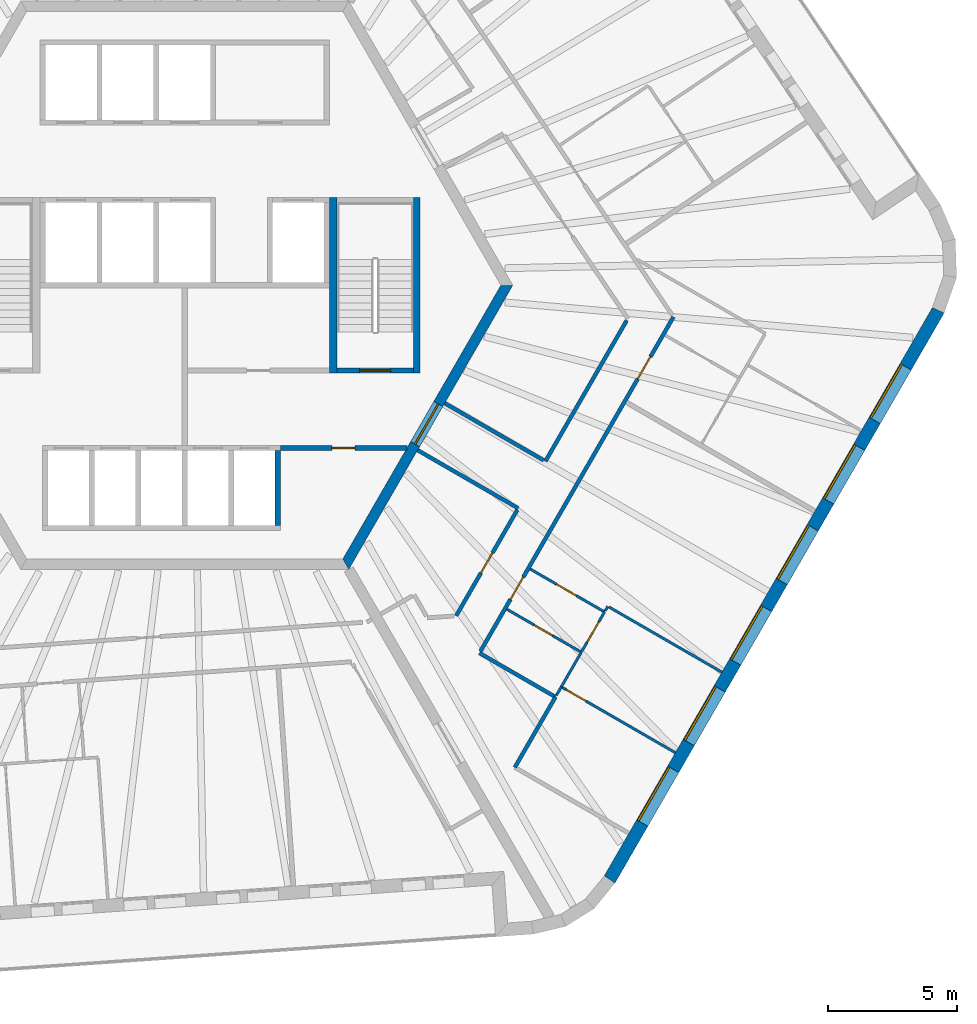
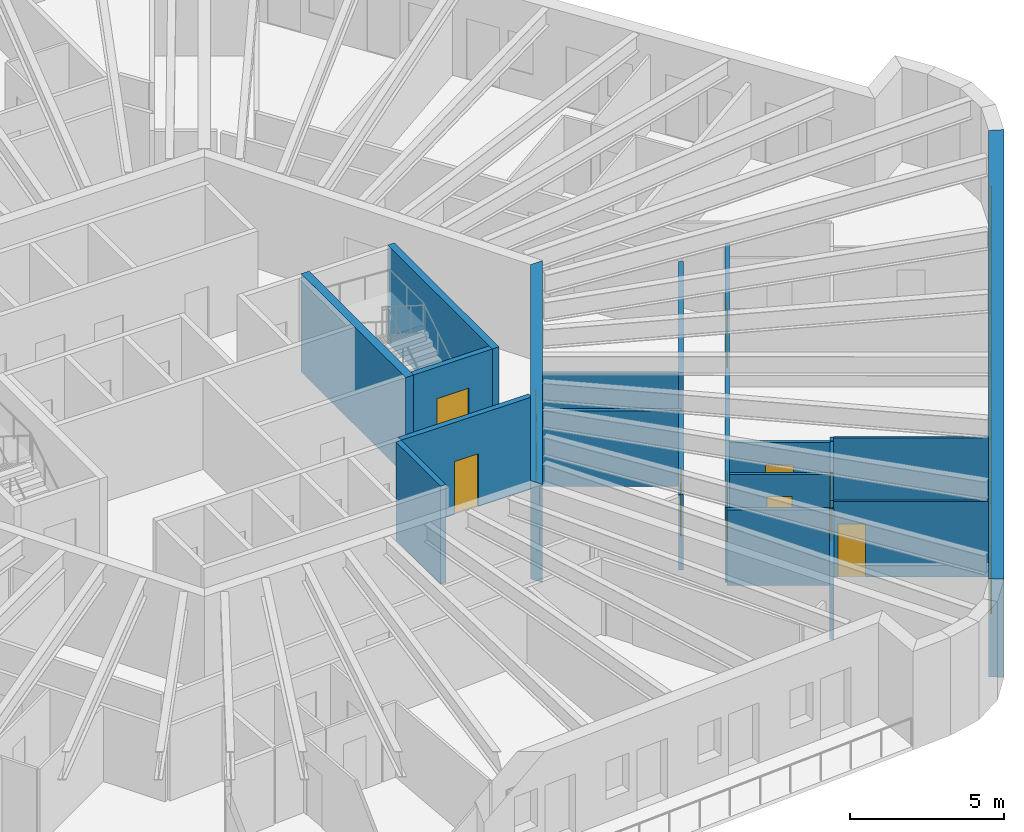
# One storey, part 6 of 12: 22 walls, 10 doors, 6 windows, 16 openings.
"""IFC4 building model written with IfcOpenShell, lengths in metres."""

from ifc_helpers import new_model, si_unit, direction, frame, frame_2d, origin, place, context, subcontext, project, spatial, polyline, rectangle, outline, extrude, material, layer, layer_set, type_object, element, fill, save


model = new_model("IFC4")

# Units and contexts
model_context = context("Model", 3, precision=1e-05, world=origin(), true_north=direction((0.0, 1.0)))
body_context = subcontext(model_context, "Body", "Model", "MODEL_VIEW")
ifc_project = project(units=[si_unit("LENGTHUNIT", "METRE"), si_unit("AREAUNIT", "SQUARE_METRE"), si_unit("VOLUMEUNIT", "CUBIC_METRE"), si_unit("PLANEANGLEUNIT", "RADIAN"), si_unit("MASSUNIT", "GRAM", prefix="KILO")], contexts=[model_context])

# Site, building, storey
site_placement = place(None, origin())
site = spatial("IfcSite", under=ifc_project, at=site_placement, CompositionType="ELEMENT")
building_placement = place(site_placement, origin())
building = spatial("IfcBuilding", under=site, at=building_placement, Name="Tarnside Tower", CompositionType="ELEMENT")
storey_placement = place(building_placement, frame((0.0, 0.0, 299.10009765625)))
storey = spatial("IfcBuildingStorey", under=building, at=storey_placement, Name="L72", CompositionType="ELEMENT", Elevation=299.10009765625)

# Wall, opening, door
ifc_material_1 = material(Name="Gypsum board partition on steel studs", Category="steel")
ifc_layer_1 = layer(ifc_material_1, 0.10009765625)
ifc_layer_set_1 = layer_set([ifc_layer_1], Name="Bathroom wall 100")
wall_type_1 = type_object("IfcWallType", Name="Bathroom wall 100", PredefinedType="PARTITIONING", material=ifc_layer_set_1)
wall_1_placement = place(storey_placement, frame((12.47412109375, -12.544189453125, 0.0), z_axis=(0.0, 0.0, 1.0), x_axis=(0.866002163101, -0.500040251884, 0.0)))
wall_1 = element("IfcWall", 1, at=wall_1_placement, inside=storey, type_object=wall_type_1, Name="Bathroom wall 23144", PredefinedType="PARTITIONING", context=body_context, shape_type="SweptSolid", body=[
    extrude(rectangle(XDim=3.324951171875, YDim=0.10009765625, at=frame_2d((1.66259765625, 0.0))), origin(), (0.0, 0.0, 1.0), 2.98779296875),
])
opening_1_placement = place(wall_1_placement, frame((1.22509765625, 0.0, 0.0)))
opening_1 = element("IfcOpeningElement", 2, at=opening_1_placement, cuts=wall_1, Name="Opening D-B1", PredefinedType="OPENING", context=body_context, shape_type="SweptSolid", body=[
    extrude(rectangle(XDim=0.800048828125, YDim=2.10009765625, at=frame_2d((0.39990234375, 1.050048828125))), frame((0.0, 0.06005859375, 0.0), z_axis=(0.0, -1.0, 0.0), x_axis=(1.0, 0.0, 0.0)), (0.0, 0.0, 1.0), 0.1201171875),
])
ifc_material_2 = material(Name="Timber door leaf", Category="wood")
door_type_1 = type_object("IfcDoorType", Name="Bathroom door 800", OperationType="NOTDEFINED", PredefinedType="DOOR", material=ifc_material_2)
door_1_placement = place(opening_1_placement, origin())
door_1 = element("IfcDoor", 3, at=door_1_placement, inside=storey, type_object=door_type_1, Name="Bathroom door 23040", OperationType="SINGLE_SWING_RIGHT", OverallHeight=2.10009765625, OverallWidth=0.800048828125, PredefinedType="DOOR", context=body_context, shape_type="SweptSolid", body=[
    extrude(rectangle(XDim=0.800048828125, YDim=2.10009765625, at=frame_2d((0.39990234375, 1.050048828125))), frame((0.0, 0.02490234375, 0.0), z_axis=(0.0, -1.0, 0.0), x_axis=(1.0, 0.0, 0.0)), (0.0, 0.0, 1.0), 0.050048828125),
])
fill(opening_1, door_1)

# Walls
wall_2_placement = place(storey_placement, frame((14.39013671875, -15.87548828125, 0.0), z_axis=(0.0, 0.0, 1.0), x_axis=(0.500094824054, 0.865970650169, 0.0)))
element("IfcWall", 4, at=wall_2_placement, inside=storey, type_object=wall_type_1, Name="Bathroom wall 23146", PredefinedType="PARTITIONING", context=body_context, shape_type="SweptSolid", body=[
    extrude(rectangle(XDim=0.37841796875, YDim=0.10009765625, at=frame_2d((0.189208984375, 0.0))), origin(), (0.0, 0.0, 1.0), 2.98779296875),
])
wall_3_placement = place(storey_placement, frame((14.579345703125, -15.5478515625, 0.0), z_axis=(0.0, 0.0, 1.0), x_axis=(0.499949632511, 0.866054481515, 0.0)))
element("IfcWall", 5, at=wall_3_placement, inside=storey, type_object=wall_type_1, Name="Bathroom wall 23147", PredefinedType="PARTITIONING", context=body_context, shape_type="SweptSolid", body=[
    extrude(rectangle(XDim=1.550537109375, YDim=0.10009765625, at=frame_2d((0.775390625, 0.0))), origin(), (0.0, 0.0, 1.0), 2.98779296875),
])

# Wall, opening, door
ifc_material_3 = material(Name="Concrete C40/50", Category="concrete")
ifc_layer_2 = layer(ifc_material_3, 0.199951171875)
ifc_layer_set_2 = layer_set([ifc_layer_2], Name="Core room partition 200 C40/50")
wall_type_2 = type_object("IfcWallType", Name="Core room partition 200 C40/50", PredefinedType="PARTITIONING", material=ifc_layer_set_2)
wall_4_placement = place(storey_placement, frame((3.699951171875, -6.300048828125, 0.0), z_axis=(0.0, 0.0, 1.0), x_axis=(1.0, 0.0, 0.0)))
wall_4 = element("IfcWall", 6, at=wall_4_placement, inside=storey, type_object=wall_type_2, Name="L72 core partition R4X", PredefinedType="PARTITIONING", context=body_context, shape_type="SweptSolid", body=[
    extrude(rectangle(XDim=4.902587890625, YDim=0.199951171875, at=frame_2d((2.451171875, 0.0))), origin(), (0.0, 0.0, 1.0), 3.64990234375),
])
opening_2_placement = place(wall_4_placement, frame((2.001220703125, 0.0, 0.0)))
opening_2 = element("IfcOpeningElement", 7, at=opening_2_placement, cuts=wall_4, Name="Opening CD-room", PredefinedType="OPENING", context=body_context, shape_type="SweptSolid", body=[
    extrude(rectangle(XDim=0.89990234375, YDim=2.10009765625, at=frame_2d((0.449951171875, 1.050048828125))), frame((0.0, 0.10986328125, 0.0), z_axis=(0.0, -1.0, 0.0), x_axis=(1.0, 0.0, 0.0)), (0.0, 0.0, 1.0), 0.219970703125),
])
ifc_material_4 = material(Name="Steel fire door", Category="steel")
door_type_2 = type_object("IfcDoorType", Name="Room door FD60 900x2100", OperationType="NOTDEFINED", PredefinedType="DOOR", material=ifc_material_4)
door_2_placement = place(opening_2_placement, origin())
door_2 = element("IfcDoor", 8, at=door_2_placement, inside=storey, type_object=door_type_2, Name="L72 core room door RX", OperationType="SINGLE_SWING_LEFT", OverallHeight=2.10009765625, OverallWidth=0.89990234375, PredefinedType="DOOR", context=body_context, shape_type="SweptSolid", body=[
    extrude(rectangle(XDim=0.89990234375, YDim=2.10009765625, at=frame_2d((0.449951171875, 1.050048828125))), frame((0.0, 0.02490234375, 0.0), z_axis=(0.0, -1.0, 0.0), x_axis=(1.0, 0.0, 0.0)), (0.0, 0.0, 1.0), 0.050048828125),
])
fill(opening_2, door_2)

ifc_material_5 = material(Name="Concrete C60/75", Category="concrete")
ifc_layer_3 = layer(ifc_material_5, 0.39990234375)
ifc_layer_set_3 = layer_set([ifc_layer_3], Name="Core wall Z3 400 C60/75")
wall_type_3 = type_object("IfcWallType", Name="Core wall Z3 400 C60/75", PredefinedType="SHEAR", material=ifc_layer_set_3)
wall_5_placement = place(storey_placement, frame((6.2353515625, -10.800048828125, -0.150146484375), z_axis=(0.0, 0.0, 1.0), x_axis=(0.499996419489, 0.866027470984, 0.0)))
wall_5 = element("IfcWall", 9, at=wall_5_placement, inside=storey, type_object=wall_type_3, Name="L72 core wall face 5", PredefinedType="SHEAR", context=body_context, shape_type="SweptSolid", body=[
    extrude(outline(polyline([(-0.115478515625, -0.199951171875), (12.586181640625, -0.199951171875), (12.355224609375, 0.199951171875), (0.115478515625, 0.199951171875), (-0.115478515625, -0.199951171875)])), origin(), (0.0, 0.0, 1.0), 3.900146484375),
])
opening_3_placement = place(wall_5_placement, frame((5.3642578125, 0.0, 0.14990234375)))
opening_3 = element("IfcOpeningElement", 10, at=opening_3_placement, cuts=wall_5, Name="Opening CD-FFL", PredefinedType="OPENING", context=body_context, shape_type="SweptSolid", body=[
    extrude(rectangle(XDim=1.800048828125, YDim=2.39990234375, at=frame_2d((0.89990234375, 1.199951171875))), frame((0.0, 0.2099609375, 0.0), z_axis=(0.0, -1.0, 0.0), x_axis=(1.0, 0.0, 0.0)), (0.0, 0.0, 1.0), 0.419921875),
])
door_type_3 = type_object("IfcDoorType", Name="Firefighting lobby double door FD60S 1800x2400", OperationType="NOTDEFINED", PredefinedType="DOOR", material=ifc_material_4)
door_3_placement = place(opening_3_placement, origin())
door_3 = element("IfcDoor", 11, at=door_3_placement, inside=storey, type_object=door_type_3, Name="L72 core door P4", OperationType="DOUBLE_DOOR_SINGLE_SWING", OverallHeight=2.39990234375, OverallWidth=1.800048828125, PredefinedType="DOOR", context=body_context, shape_type="SweptSolid", body=[
    extrude(rectangle(XDim=1.800048828125, YDim=2.39990234375, at=frame_2d((0.89990234375, 1.199951171875))), frame((0.0, 0.02490234375, 0.0), z_axis=(0.0, -1.0, 0.0), x_axis=(1.0, 0.0, 0.0)), (0.0, 0.0, 1.0), 0.050048828125),
])
fill(opening_3, door_3)

# Wall, openings, doors
ifc_layer_4 = layer(ifc_material_1, 0.14990234375)
ifc_layer_set_4 = layer_set([ifc_layer_4], Name="Corridor wall 150 EI 60")
wall_type_4 = type_object("IfcWallType", Name="Corridor wall 150 EI 60", PredefinedType="PARTITIONING", material=ifc_layer_set_4)
wall_6_placement = place(storey_placement, frame((11.446533203125, -14.173828125, 0.0), z_axis=(0.0, 0.0, 1.0), x_axis=(0.500003306199, 0.866023494941, 0.0)))
wall_6 = element("IfcWall", 12, at=wall_6_placement, inside=storey, type_object=wall_type_4, Name="Corridor wall 23053", PredefinedType="PARTITIONING", context=body_context, shape_type="SweptSolid", body=[
    extrude(rectangle(XDim=14.94921875, YDim=0.14990234375, at=frame_2d((7.474609375, 0.0))), origin(), (0.0, 0.0, 1.0), 2.98779296875),
])
opening_4_placement = place(wall_6_placement, frame((2.324951171875, 0.0, 0.0)))
opening_4 = element("IfcOpeningElement", 13, at=opening_4_placement, cuts=wall_6, Name="Opening D-E1", PredefinedType="OPENING", context=body_context, shape_type="SweptSolid", body=[
    extrude(rectangle(XDim=1.0, YDim=2.10009765625, at=frame_2d((0.5, 1.050048828125))), frame((0.0, 0.0849609375, 0.0), z_axis=(0.0, -1.0, 0.0), x_axis=(1.0, 0.0, 0.0)), (0.0, 0.0, 1.0), 0.169921875),
])
opening_5_placement = place(wall_6_placement, frame((12.176513671875, 0.0, 0.0)))
opening_5 = element("IfcOpeningElement", 14, at=opening_5_placement, cuts=wall_6, Name="Opening D-E1", PredefinedType="OPENING", context=body_context, shape_type="SweptSolid", body=[
    extrude(rectangle(XDim=1.0, YDim=2.10009765625, at=frame_2d((0.5, 1.050048828125))), frame((0.0, 0.0849609375, 0.0), z_axis=(0.0, -1.0, 0.0), x_axis=(1.0, 0.0, 0.0)), (0.0, 0.0, 1.0), 0.169921875),
])
door_type_4 = type_object("IfcDoorType", Name="Unit entrance door 1000 FD30S", OperationType="NOTDEFINED", PredefinedType="DOOR", material=ifc_material_2)
door_4_placement = place(opening_4_placement, origin())
door_4 = element("IfcDoor", 15, at=door_4_placement, inside=storey, type_object=door_type_4, Name="Unit door 23039", OperationType="SINGLE_SWING_LEFT", OverallHeight=2.10009765625, OverallWidth=1.0, PredefinedType="DOOR", context=body_context, shape_type="SweptSolid", body=[
    extrude(rectangle(XDim=1.0, YDim=2.10009765625, at=frame_2d((0.5, 1.050048828125))), frame((0.0, 0.02490234375, 0.0), z_axis=(0.0, -1.0, 0.0), x_axis=(1.0, 0.0, 0.0)), (0.0, 0.0, 1.0), 0.050048828125),
])
fill(opening_4, door_4)
door_5_placement = place(opening_5_placement, origin())
door_5 = element("IfcDoor", 16, at=door_5_placement, inside=storey, type_object=door_type_4, Name="Unit door 23046", OperationType="SINGLE_SWING_LEFT", OverallHeight=2.10009765625, OverallWidth=1.0, PredefinedType="DOOR", context=body_context, shape_type="SweptSolid", body=[
    extrude(rectangle(XDim=1.0, YDim=2.10009765625, at=frame_2d((0.5, 1.050048828125))), frame((0.0, 0.02490234375, 0.0), z_axis=(0.0, -1.0, 0.0), x_axis=(1.0, 0.0, 0.0)), (0.0, 0.0, 1.0), 0.050048828125),
])
fill(opening_5, door_5)

# Walls
wall_7_placement = place(storey_placement, frame((14.353515625, -15.938720703125, 0.0), z_axis=(0.0, 0.0, 1.0), x_axis=(-0.866020560687, 0.500008388397, 0.0)))
element("IfcWall", 17, at=wall_7_placement, inside=storey, type_object=wall_type_4, Name="Corridor wall 23055", PredefinedType="PARTITIONING", context=body_context, shape_type="SweptSolid", body=[
    extrude(rectangle(XDim=3.39990234375, YDim=0.14990234375, at=frame_2d((1.699951171875, 0.0))), origin(), (0.0, 0.0, 1.0), 2.98779296875),
])
wall_8_placement = place(storey_placement, frame((12.780029296875, -18.66455078125, 0.0), z_axis=(0.0, 0.0, 1.0), x_axis=(0.499972881236, 0.866041060244, 0.0)))
element("IfcWall", 18, at=wall_8_placement, inside=storey, type_object=wall_type_4, Name="Corridor wall 23057", PredefinedType="PARTITIONING", context=body_context, shape_type="SweptSolid", body=[
    extrude(rectangle(XDim=3.150634765625, YDim=0.14990234375, at=frame_2d((1.5751953125, 0.0))), origin(), (0.0, 0.0, 1.0), 2.98779296875),
])
wall_9_placement = place(storey_placement, frame((17.11181640625, -1.361572265625, 0.0), z_axis=(0.0, 0.0, 1.0), x_axis=(-0.49999985423, -0.866025487945, 0.0)))
element("IfcWall", 19, at=wall_9_placement, inside=storey, type_object=wall_type_4, Name="Corridor wall 23071", PredefinedType="PARTITIONING", context=body_context, shape_type="SweptSolid", body=[
    extrude(rectangle(XDim=6.2978515625, YDim=0.14990234375, at=frame_2d((3.14892578125, 0.0))), origin(), (0.0, 0.0, 1.0), 2.98779296875),
])
wall_10_placement = place(storey_placement, frame((13.89794921875, -6.778076171875, 0.0), z_axis=(0.0, 0.0, 1.0), x_axis=(-0.866041342403, 0.499972392486, 0.0)))
element("IfcWall", 20, at=wall_10_placement, inside=storey, type_object=wall_type_4, Name="Corridor wall 23072", PredefinedType="PARTITIONING", context=body_context, shape_type="SweptSolid", body=[
    extrude(rectangle(XDim=4.425048828125, YDim=0.14990234375, at=frame_2d((2.21240234375, 0.0))), origin(), (0.0, 0.0, 1.0), 2.98779296875),
])
wall_11_placement = place(storey_placement, frame((9.015625, -6.38427734375, 0.0), z_axis=(0.0, 0.0, 1.0), x_axis=(0.866031096941, -0.499990139034, 0.0)))
element("IfcWall", 21, at=wall_11_placement, inside=storey, type_object=wall_type_4, Name="Corridor wall 23073", PredefinedType="PARTITIONING", context=body_context, shape_type="SweptSolid", body=[
    extrude(rectangle(XDim=4.5, YDim=0.14990234375, at=frame_2d((2.25, 0.0))), origin(), (0.0, 0.0, 1.0), 2.98779296875),
])

# Wall, opening, door
wall_12_placement = place(storey_placement, frame((12.875244140625, -8.69921875, 0.0), z_axis=(0.0, 0.0, 1.0), x_axis=(-0.49999482868, -0.866028389427, 0.0)))
wall_12 = element("IfcWall", 22, at=wall_12_placement, inside=storey, type_object=wall_type_4, Name="Corridor wall 23074", PredefinedType="PARTITIONING", context=body_context, shape_type="SweptSolid", body=[
    extrude(rectangle(XDim=4.73291015625, YDim=0.14990234375, at=frame_2d((2.366455078125, 0.0))), origin(), (0.0, 0.0, 1.0), 2.98779296875),
])
opening_6_placement = place(wall_12_placement, frame((1.91650390625, 0.0, 0.0)))
opening_6 = element("IfcOpeningElement", 23, at=opening_6_placement, cuts=wall_12, Name="Opening D-S1", PredefinedType="OPENING", context=body_context, shape_type="SweptSolid", body=[
    extrude(rectangle(XDim=0.89990234375, YDim=2.10009765625, at=frame_2d((0.449951171875, 1.050048828125))), frame((0.0, 0.0849609375, 0.0), z_axis=(0.0, -1.0, 0.0), x_axis=(1.0, 0.0, 0.0)), (0.0, 0.0, 1.0), 0.169921875),
])
door_type_5 = type_object("IfcDoorType", Name="Service room door 900 FD30S", OperationType="NOTDEFINED", PredefinedType="DOOR", material=ifc_material_2)
door_6_placement = place(opening_6_placement, origin())
door_6 = element("IfcDoor", 24, at=door_6_placement, inside=storey, type_object=door_type_5, Name="Service door 23063", OperationType="SINGLE_SWING_LEFT", OverallHeight=2.10009765625, OverallWidth=0.89990234375, PredefinedType="DOOR", context=body_context, shape_type="SweptSolid", body=[
    extrude(rectangle(XDim=0.89990234375, YDim=2.10009765625, at=frame_2d((0.449951171875, 1.050048828125))), frame((0.0, 0.02490234375, 0.0), z_axis=(0.0, -1.0, 0.0), x_axis=(1.0, 0.0, 0.0)), (0.0, 0.0, 1.0), 0.050048828125),
])
fill(opening_6, door_6)

# Wall
ifc_layer_5 = layer(ifc_material_3, 0.199951171875)
ifc_layer_set_5 = layer_set([ifc_layer_5], Name="Lift shaft wall 200 C40/50")
wall_type_5 = type_object("IfcWallType", Name="Lift shaft wall 200 C40/50", PredefinedType="SHEAR", material=ifc_layer_set_5)
wall_13_placement = place(storey_placement, frame((3.60009765625, -9.300048828125, -0.25), z_axis=(0.0, 0.0, 1.0), x_axis=(0.0, 1.0, 0.0)))
element("IfcWall", 25, at=wall_13_placement, inside=storey, type_object=wall_type_5, Name="L72 lift shaft partition R46", PredefinedType="SHEAR", context=body_context, shape_type="SweptSolid", body=[
    extrude(rectangle(XDim=2.900146484375, YDim=0.199951171875, at=frame_2d((1.4501953125, 0.0))), origin(), (0.0, 0.0, 1.0), 3.89990234375),
])

# Wall, opening, door
wall_14_placement = place(storey_placement, frame((5.89990234375, -3.300048828125, -0.25), z_axis=(0.0, 0.0, 1.0), x_axis=(1.0, 0.0, 0.0)))
wall_14 = element("IfcWall", 26, at=wall_14_placement, inside=storey, type_object=wall_type_5, Name="L72 stair 1 enclosure cap wall s", PredefinedType="SHEAR", context=body_context, shape_type="SweptSolid", body=[
    extrude(rectangle(XDim=2.9501953125, YDim=0.199951171875, at=frame_2d((1.47509765625, 0.0))), origin(), (0.0, 0.0, 1.0), 3.89990234375),
])
opening_7_placement = place(wall_14_placement, frame((0.875, 0.0, 0.25)))
opening_7 = element("IfcOpeningElement", 27, at=opening_7_placement, cuts=wall_14, Name="Opening CD-STR", PredefinedType="OPENING", context=body_context, shape_type="SweptSolid", body=[
    extrude(rectangle(XDim=1.199951171875, YDim=2.39990234375, at=frame_2d((0.60009765625, 1.199951171875))), frame((0.0, 0.10986328125, 0.0), z_axis=(0.0, -1.0, 0.0), x_axis=(1.0, 0.0, 0.0)), (0.0, 0.0, 1.0), 0.219970703125),
])
door_type_6 = type_object("IfcDoorType", Name="Stair door FD60S 1200x2400", OperationType="NOTDEFINED", PredefinedType="DOOR", material=ifc_material_4)
door_7_placement = place(opening_7_placement, origin())
door_7 = element("IfcDoor", 28, at=door_7_placement, inside=storey, type_object=door_type_6, Name="L72 stair 1 door", OperationType="SINGLE_SWING_LEFT", OverallHeight=2.39990234375, OverallWidth=1.199951171875, PredefinedType="DOOR", context=body_context, shape_type="SweptSolid", body=[
    extrude(rectangle(XDim=1.199951171875, YDim=2.39990234375, at=frame_2d((0.60009765625, 1.199951171875))), frame((0.0, 0.02490234375, 0.0), z_axis=(0.0, -1.0, 0.0), x_axis=(1.0, 0.0, 0.0)), (0.0, 0.0, 1.0), 0.050048828125),
])
fill(opening_7, door_7)

ifc_layer_6 = layer(ifc_material_1, 0.10009765625)
ifc_layer_set_6 = layer_set([ifc_layer_6], Name="Partition 100")
wall_type_6 = type_object("IfcWallType", Name="Partition 100", PredefinedType="PARTITIONING", material=ifc_layer_set_6)
wall_15_placement = place(storey_placement, frame((13.3740234375, -10.9853515625, 0.0), z_axis=(0.0, 0.0, 1.0), x_axis=(0.866020521143, -0.500008456887, 0.0)))
wall_15 = element("IfcWall", 29, at=wall_15_placement, inside=storey, type_object=wall_type_6, Name="Partition wall 23139", PredefinedType="PARTITIONING", context=body_context, shape_type="SweptSolid", body=[
    extrude(rectangle(XDim=3.3251953125, YDim=0.10009765625, at=frame_2d((1.66259765625, 0.0))), origin(), (0.0, 0.0, 1.0), 2.98779296875),
])
opening_8_placement = place(wall_15_placement, frame((1.175048828125, 0.0, 0.0)))
opening_8 = element("IfcOpeningElement", 30, at=opening_8_placement, cuts=wall_15, Name="Opening D-I1", PredefinedType="OPENING", context=body_context, shape_type="SweptSolid", body=[
    extrude(rectangle(XDim=0.89990234375, YDim=2.10009765625, at=frame_2d((0.449951171875, 1.050048828125))), frame((0.0, 0.06005859375, 0.0), z_axis=(0.0, -1.0, 0.0), x_axis=(1.0, 0.0, 0.0)), (0.0, 0.0, 1.0), 0.1201171875),
])
door_type_7 = type_object("IfcDoorType", Name="Internal door 900", OperationType="NOTDEFINED", PredefinedType="DOOR", material=ifc_material_2)
door_8_placement = place(opening_8_placement, origin())
door_8 = element("IfcDoor", 31, at=door_8_placement, inside=storey, type_object=door_type_7, Name="Internal door 23041", OperationType="SINGLE_SWING_RIGHT", OverallHeight=2.10009765625, OverallWidth=0.89990234375, PredefinedType="DOOR", context=body_context, shape_type="SweptSolid", body=[
    extrude(rectangle(XDim=0.89990234375, YDim=2.10009765625, at=frame_2d((0.449951171875, 1.050048828125))), frame((0.0, 0.02490234375, 0.0), z_axis=(0.0, -1.0, 0.0), x_axis=(1.0, 0.0, 0.0)), (0.0, 0.0, 1.0), 0.050048828125),
])
fill(opening_8, door_8)

# Walls
wall_16_placement = place(storey_placement, frame((16.277587890625, -12.6064453125, 0.0), z_axis=(0.0, 0.0, 1.0), x_axis=(0.500137716533, 0.865945878506, 0.0)))
element("IfcWall", 32, at=wall_16_placement, inside=storey, type_object=wall_type_6, Name="Partition wall 23140", PredefinedType="PARTITIONING", context=body_context, shape_type="SweptSolid", body=[
    extrude(rectangle(XDim=0.20361328125, YDim=0.10009765625, at=frame_2d((0.101806640625, 0.0))), origin(), (0.0, 0.0, 1.0), 2.98779296875),
])
wall_17_placement = place(storey_placement, frame((16.422607421875, -12.455078125, 0.0), z_axis=(0.0, 0.0, 1.0), x_axis=(0.866018134068, -0.500012591307, 0.0)))
element("IfcWall", 33, at=wall_17_placement, inside=storey, type_object=wall_type_6, Name="Partition wall 23141", PredefinedType="PARTITIONING", context=body_context, shape_type="SweptSolid", body=[
    extrude(rectangle(XDim=5.050048828125, YDim=0.10009765625, at=frame_2d((2.52490234375, 0.0))), origin(), (0.0, 0.0, 1.0), 2.98779296875),
])

# Wall, opening, door
wall_18_placement = place(storey_placement, frame((15.377685546875, -14.165283203125, 0.0), z_axis=(0.0, 0.0, 1.0), x_axis=(0.499971461383, 0.866041879935, 0.0)))
wall_18 = element("IfcWall", 34, at=wall_18_placement, inside=storey, type_object=wall_type_6, Name="Partition wall 23145", PredefinedType="PARTITIONING", context=body_context, shape_type="SweptSolid", body=[
    extrude(rectangle(XDim=1.75390625, YDim=0.10009765625, at=frame_2d((0.876953125, 0.0))), origin(), (0.0, 0.0, 1.0), 2.98779296875),
])
opening_9_placement = place(wall_18_placement, frame((0.402099609375, 0.0, 0.0)))
opening_9 = element("IfcOpeningElement", 35, at=opening_9_placement, cuts=wall_18, Name="Opening D-I1", PredefinedType="OPENING", context=body_context, shape_type="SweptSolid", body=[
    extrude(rectangle(XDim=0.89990234375, YDim=2.10009765625, at=frame_2d((0.449951171875, 1.050048828125))), frame((0.0, 0.06005859375, 0.0), z_axis=(0.0, -1.0, 0.0), x_axis=(1.0, 0.0, 0.0)), (0.0, 0.0, 1.0), 0.1201171875),
])
door_9_placement = place(opening_9_placement, origin())
door_9 = element("IfcDoor", 36, at=door_9_placement, inside=storey, type_object=door_type_7, Name="Internal door 23045", OperationType="SINGLE_SWING_RIGHT", OverallHeight=2.10009765625, OverallWidth=0.89990234375, PredefinedType="DOOR", context=body_context, shape_type="SweptSolid", body=[
    extrude(rectangle(XDim=0.89990234375, YDim=2.10009765625, at=frame_2d((0.449951171875, 1.050048828125))), frame((0.0, 0.02490234375, 0.0), z_axis=(0.0, -1.0, 0.0), x_axis=(1.0, 0.0, 0.0)), (0.0, 0.0, 1.0), 0.050048828125),
])
fill(opening_9, door_9)

wall_19_placement = place(storey_placement, frame((18.99609375, -18.097900390625, 0.0), z_axis=(0.0, 0.0, 1.0), x_axis=(-0.866039067339, 0.499976333282, 0.0)))
wall_19 = element("IfcWall", 37, at=wall_19_placement, inside=storey, type_object=wall_type_6, Name="Partition wall 23148", PredefinedType="PARTITIONING", context=body_context, shape_type="SweptSolid", body=[
    extrude(rectangle(XDim=5.050048828125, YDim=0.10009765625, at=frame_2d((2.52490234375, 0.0))), origin(), (0.0, 0.0, 1.0), 2.98779296875),
])
opening_10_placement = place(wall_19_placement, frame((4.0, 0.0, 0.0)))
opening_10 = element("IfcOpeningElement", 38, at=opening_10_placement, cuts=wall_19, Name="Opening D-I1", PredefinedType="OPENING", context=body_context, shape_type="SweptSolid", body=[
    extrude(rectangle(XDim=0.89990234375, YDim=2.10009765625, at=frame_2d((0.449951171875, 1.050048828125))), frame((0.0, 0.06005859375, 0.0), z_axis=(0.0, -1.0, 0.0), x_axis=(1.0, 0.0, 0.0)), (0.0, 0.0, 1.0), 0.1201171875),
])
door_10_placement = place(opening_10_placement, origin())
door_10 = element("IfcDoor", 39, at=door_10_placement, inside=storey, type_object=door_type_7, Name="Internal door 23044", OperationType="SINGLE_SWING_RIGHT", OverallHeight=2.10009765625, OverallWidth=0.89990234375, PredefinedType="DOOR", context=body_context, shape_type="SweptSolid", body=[
    extrude(rectangle(XDim=0.89990234375, YDim=2.10009765625, at=frame_2d((0.449951171875, 1.050048828125))), frame((0.0, 0.02490234375, 0.0), z_axis=(0.0, -1.0, 0.0), x_axis=(1.0, 0.0, 0.0)), (0.0, 0.0, 1.0), 0.050048828125),
])
fill(opening_10, door_10)

# Walls
ifc_layer_7 = layer(ifc_material_3, 0.25)
ifc_layer_set_7 = layer_set([ifc_layer_7], Name="Stair enclosure wall 250 C40/50")
wall_type_7 = type_object("IfcWallType", Name="Stair enclosure wall 250 C40/50", PredefinedType="SHEAR", material=ifc_layer_set_7)
wall_20_placement = place(storey_placement, frame((8.97509765625, -3.39990234375, -0.25), z_axis=(0.0, 0.0, 1.0), x_axis=(0.0, 1.0, 0.0)))
element("IfcWall", 40, at=wall_20_placement, inside=storey, type_object=wall_type_7, Name="L72 stair 1 enclosure wall outer", PredefinedType="SHEAR", context=body_context, shape_type="SweptSolid", body=[
    extrude(rectangle(XDim=6.7998046875, YDim=0.25, at=frame_2d((3.39990234375, 0.0))), origin(), (0.0, 0.0, 1.0), 3.89990234375),
])
ifc_layer_8 = layer(ifc_material_3, 0.300048828125)
ifc_layer_set_8 = layer_set([ifc_layer_8], Name="Stair enclosure wall 300 C40/50")
wall_type_8 = type_object("IfcWallType", Name="Stair enclosure wall 300 C40/50", PredefinedType="SHEAR", material=ifc_layer_set_8)
wall_21_placement = place(storey_placement, frame((5.75, -3.39990234375, -0.25), z_axis=(0.0, 0.0, 1.0), x_axis=(0.0, 1.0, 0.0)))
element("IfcWall", 41, at=wall_21_placement, inside=storey, type_object=wall_type_8, Name="L72 stair 1 enclosure wall inner", PredefinedType="SHEAR", context=body_context, shape_type="SweptSolid", body=[
    extrude(rectangle(XDim=6.7998046875, YDim=0.300048828125, at=frame_2d((3.39990234375, 0.0))), origin(), (0.0, 0.0, 1.0), 3.89990234375),
])

# Wall, openings, windows
ifc_material_6 = material(Name="Facing brick", Category="masonry")
ifc_layer_9 = layer(ifc_material_6, 0.10205078125)
ifc_material_7 = material(Name="Concrete C60/75 precast", Category="concrete")
ifc_layer_10 = layer(ifc_material_7, 0.298095703125)
ifc_material_8 = material(Name="Mineral wool insulation")
ifc_layer_11 = layer(ifc_material_8, 0.10009765625)
ifc_layer_set_9 = layer_set([ifc_layer_9, ifc_layer_10, ifc_layer_11], Name="Tube wall 500 brick faced")
wall_type_9 = type_object("IfcWallType", Name="Tube wall 500 brick faced", PredefinedType="SOLIDWALL", material=ifc_layer_set_9)
wall_22_placement = place(storey_placement, frame((16.451416015625, -23.00537109375, -0.150146484375), z_axis=(0.0, 0.0, 1.0), x_axis=(0.500003737743, 0.866023245787, 0.0)))
wall_22 = element("IfcWall", 42, at=wall_22_placement, inside=storey, type_object=wall_type_9, Name="Tube wall L72 F5 flush 24", PredefinedType="SOLIDWALL", context=body_context, shape_type="SweptSolid", body=[
    extrude(outline(polyline([(-0.0205078125, -0.25), (25.468017578125, -0.25), (25.421142578125, 0.25), (0.0205078125, 0.25), (-0.0205078125, -0.25)])), origin(), (0.0, 0.0, 1.0), 3.900146484375),
])
opening_11_placement = place(wall_22_placement, frame((2.5224609375, 0.0, 0.75)))
opening_11 = element("IfcOpeningElement", 43, at=opening_11_placement, cuts=wall_22, Name="Opening WR", PredefinedType="OPENING", context=body_context, shape_type="SweptSolid", body=[
    extrude(rectangle(XDim=2.39990234375, YDim=2.699951171875, at=frame_2d((1.199951171875, 1.35009765625))), frame((0.0, 0.260009765625, 0.0), z_axis=(0.0, -1.0, 0.0), x_axis=(1.0, 0.0, 0.0)), (0.0, 0.0, 1.0), 0.52001953125),
])
opening_12_placement = place(wall_22_placement, frame((6.122314453125, 0.0, 0.75)))
opening_12 = element("IfcOpeningElement", 44, at=opening_12_placement, cuts=wall_22, Name="Opening WR", PredefinedType="OPENING", context=body_context, shape_type="SweptSolid", body=[
    extrude(rectangle(XDim=2.39990234375, YDim=2.699951171875, at=frame_2d((1.199951171875, 1.35009765625))), frame((0.0, 0.260009765625, 0.0), z_axis=(0.0, -1.0, 0.0), x_axis=(1.0, 0.0, 0.0)), (0.0, 0.0, 1.0), 0.52001953125),
])
opening_13_placement = place(wall_22_placement, frame((9.722412109375, 0.0, 0.75)))
opening_13 = element("IfcOpeningElement", 45, at=opening_13_placement, cuts=wall_22, Name="Opening WR", PredefinedType="OPENING", context=body_context, shape_type="SweptSolid", body=[
    extrude(rectangle(XDim=2.39990234375, YDim=2.699951171875, at=frame_2d((1.199951171875, 1.35009765625))), frame((0.0, 0.260009765625, 0.0), z_axis=(0.0, -1.0, 0.0), x_axis=(1.0, 0.0, 0.0)), (0.0, 0.0, 1.0), 0.52001953125),
])
opening_14_placement = place(wall_22_placement, frame((13.322509765625, 0.0, 0.75)))
opening_14 = element("IfcOpeningElement", 46, at=opening_14_placement, cuts=wall_22, Name="Opening WR", PredefinedType="OPENING", context=body_context, shape_type="SweptSolid", body=[
    extrude(rectangle(XDim=2.39990234375, YDim=2.699951171875, at=frame_2d((1.199951171875, 1.35009765625))), frame((0.0, 0.260009765625, 0.0), z_axis=(0.0, -1.0, 0.0), x_axis=(1.0, 0.0, 0.0)), (0.0, 0.0, 1.0), 0.52001953125),
])
opening_15_placement = place(wall_22_placement, frame((16.92236328125, 0.0, 0.75)))
opening_15 = element("IfcOpeningElement", 47, at=opening_15_placement, cuts=wall_22, Name="Opening WR", PredefinedType="OPENING", context=body_context, shape_type="SweptSolid", body=[
    extrude(rectangle(XDim=2.39990234375, YDim=2.699951171875, at=frame_2d((1.199951171875, 1.35009765625))), frame((0.0, 0.260009765625, 0.0), z_axis=(0.0, -1.0, 0.0), x_axis=(1.0, 0.0, 0.0)), (0.0, 0.0, 1.0), 0.52001953125),
])
opening_16_placement = place(wall_22_placement, frame((20.5224609375, 0.0, 0.75)))
opening_16 = element("IfcOpeningElement", 48, at=opening_16_placement, cuts=wall_22, Name="Opening WR", PredefinedType="OPENING", context=body_context, shape_type="SweptSolid", body=[
    extrude(rectangle(XDim=2.39990234375, YDim=2.699951171875, at=frame_2d((1.199951171875, 1.35009765625))), frame((0.0, 0.260009765625, 0.0), z_axis=(0.0, -1.0, 0.0), x_axis=(1.0, 0.0, 0.0)), (0.0, 0.0, 1.0), 0.52001953125),
])
ifc_material_9 = material(Name="Aluminium-framed double glazing", Category="aluminium")
window_type = type_object("IfcWindowType", Name="Residence window 2400 x 2700", PartitioningType="DOUBLE_PANEL_VERTICAL", PredefinedType="WINDOW", material=ifc_material_9)
window_1_placement = place(opening_11_placement, frame((0.0, 0.179931640625, 0.0)))
window_1 = element("IfcWindow", 49, at=window_1_placement, inside=storey, type_object=window_type, Name="E.WN.L72.F5.00", OverallHeight=2.699951171875, OverallWidth=2.39990234375, PartitioningType="DOUBLE_PANEL_VERTICAL", PredefinedType="WINDOW", context=body_context, shape_type="SweptSolid", body=[
    extrude(rectangle(XDim=2.39990234375, YDim=2.699951171875, at=frame_2d((1.199951171875, 1.35009765625))), frame((0.0, 0.030029296875, 0.0), z_axis=(0.0, -1.0, 0.0), x_axis=(1.0, 0.0, 0.0)), (0.0, 0.0, 1.0), 0.06005859375),
])
fill(opening_11, window_1)
window_2_placement = place(opening_12_placement, frame((0.0, 0.179931640625, 0.0)))
window_2 = element("IfcWindow", 50, at=window_2_placement, inside=storey, type_object=window_type, Name="E.WN.L72.F5.01", OverallHeight=2.699951171875, OverallWidth=2.39990234375, PartitioningType="DOUBLE_PANEL_VERTICAL", PredefinedType="WINDOW", context=body_context, shape_type="SweptSolid", body=[
    extrude(rectangle(XDim=2.39990234375, YDim=2.699951171875, at=frame_2d((1.199951171875, 1.35009765625))), frame((0.0, 0.030029296875, 0.0), z_axis=(0.0, -1.0, 0.0), x_axis=(1.0, 0.0, 0.0)), (0.0, 0.0, 1.0), 0.06005859375),
])
fill(opening_12, window_2)
window_3_placement = place(opening_13_placement, frame((0.0, 0.179931640625, 0.0)))
window_3 = element("IfcWindow", 51, at=window_3_placement, inside=storey, type_object=window_type, Name="E.WN.L72.F5.02", OverallHeight=2.699951171875, OverallWidth=2.39990234375, PartitioningType="DOUBLE_PANEL_VERTICAL", PredefinedType="WINDOW", context=body_context, shape_type="SweptSolid", body=[
    extrude(rectangle(XDim=2.39990234375, YDim=2.699951171875, at=frame_2d((1.199951171875, 1.35009765625))), frame((0.0, 0.030029296875, 0.0), z_axis=(0.0, -1.0, 0.0), x_axis=(1.0, 0.0, 0.0)), (0.0, 0.0, 1.0), 0.06005859375),
])
fill(opening_13, window_3)
window_4_placement = place(opening_14_placement, frame((0.0, 0.179931640625, 0.0)))
window_4 = element("IfcWindow", 52, at=window_4_placement, inside=storey, type_object=window_type, Name="E.WN.L72.F5.03", OverallHeight=2.699951171875, OverallWidth=2.39990234375, PartitioningType="DOUBLE_PANEL_VERTICAL", PredefinedType="WINDOW", context=body_context, shape_type="SweptSolid", body=[
    extrude(rectangle(XDim=2.39990234375, YDim=2.699951171875, at=frame_2d((1.199951171875, 1.35009765625))), frame((0.0, 0.030029296875, 0.0), z_axis=(0.0, -1.0, 0.0), x_axis=(1.0, 0.0, 0.0)), (0.0, 0.0, 1.0), 0.06005859375),
])
fill(opening_14, window_4)
window_5_placement = place(opening_15_placement, frame((0.0, 0.179931640625, 0.0)))
window_5 = element("IfcWindow", 53, at=window_5_placement, inside=storey, type_object=window_type, Name="E.WN.L72.F5.04", OverallHeight=2.699951171875, OverallWidth=2.39990234375, PartitioningType="DOUBLE_PANEL_VERTICAL", PredefinedType="WINDOW", context=body_context, shape_type="SweptSolid", body=[
    extrude(rectangle(XDim=2.39990234375, YDim=2.699951171875, at=frame_2d((1.199951171875, 1.35009765625))), frame((0.0, 0.030029296875, 0.0), z_axis=(0.0, -1.0, 0.0), x_axis=(1.0, 0.0, 0.0)), (0.0, 0.0, 1.0), 0.06005859375),
])
fill(opening_15, window_5)
window_6_placement = place(opening_16_placement, frame((0.0, 0.179931640625, 0.0)))
window_6 = element("IfcWindow", 54, at=window_6_placement, inside=storey, type_object=window_type, Name="E.WN.L72.F5.05", OverallHeight=2.699951171875, OverallWidth=2.39990234375, PartitioningType="DOUBLE_PANEL_VERTICAL", PredefinedType="WINDOW", context=body_context, shape_type="SweptSolid", body=[
    extrude(rectangle(XDim=2.39990234375, YDim=2.699951171875, at=frame_2d((1.199951171875, 1.35009765625))), frame((0.0, 0.030029296875, 0.0), z_axis=(0.0, -1.0, 0.0), x_axis=(1.0, 0.0, 0.0)), (0.0, 0.0, 1.0), 0.06005859375),
])
fill(opening_16, window_6)

save(model, "model.ifc")
